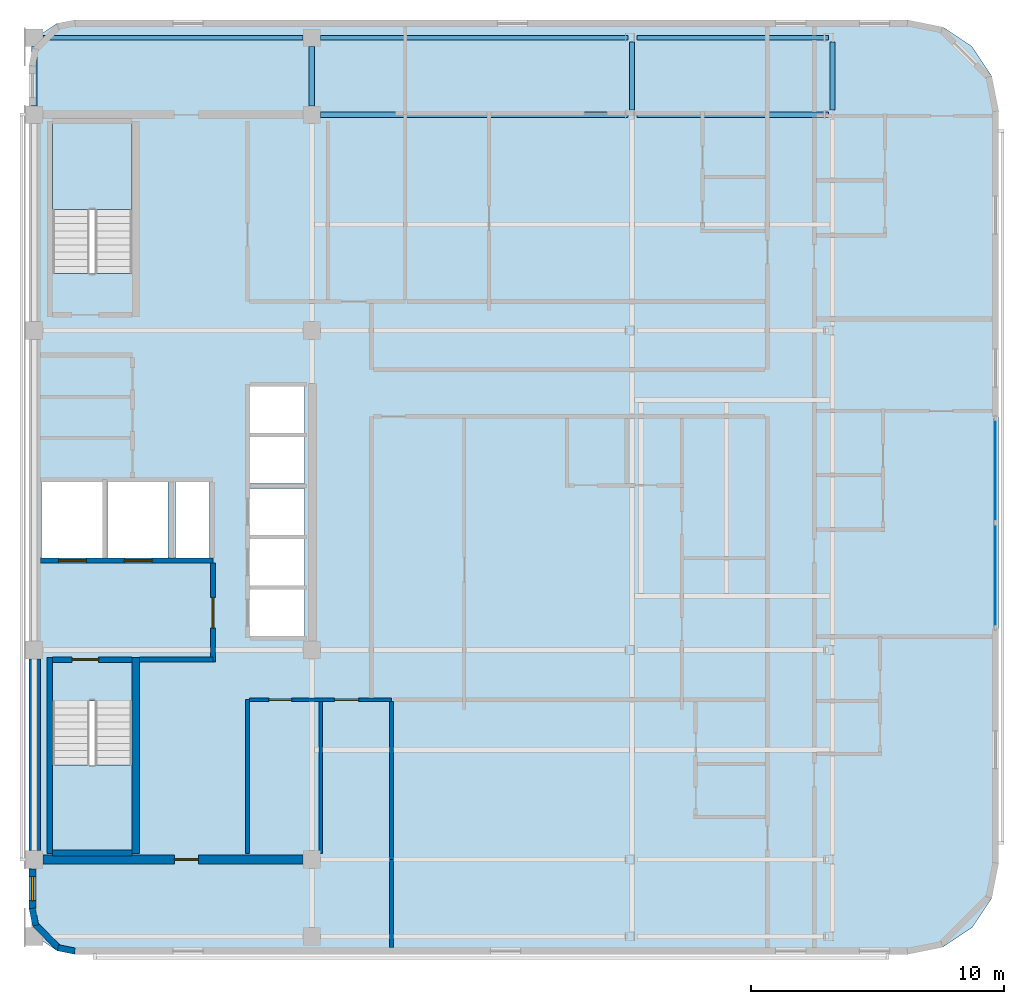
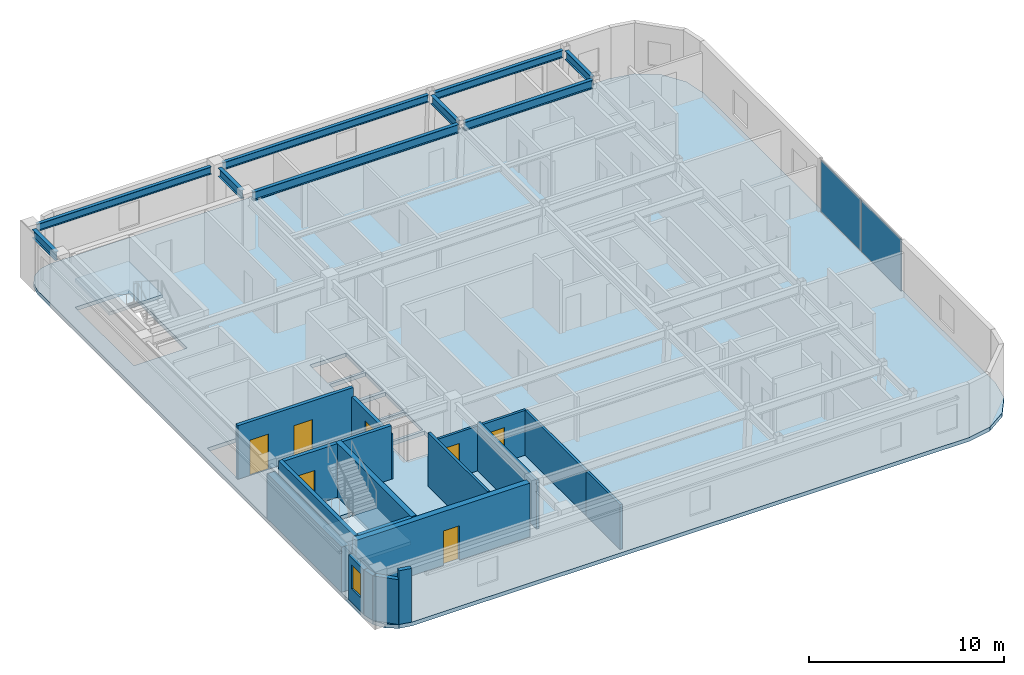
# One storey, part 3 of 10: 18 walls, 9 beams, 7 doors, 3 slabs, 2 plates, 1 window, 8 openings, 3 elements without a shape of their own.
"""IFC4 building model written with IfcOpenShell, lengths in metres."""

from ifc_helpers import new_model, si_unit, direction, frame, frame_2d, origin, origin_2d, place, context, subcontext, project, spatial, polyline, rectangle, i_section, outline, extrude, material, layer, layer_set, material_profile, profile_set, type_object, element, fill, aggregate, save


model = new_model("IFC4")

# Units and contexts
model_context = context("Model", 3, precision=1e-05, world=origin(), true_north=direction((0.0, 1.0)))
body_context = subcontext(model_context, "Body", "Model", "MODEL_VIEW")
ifc_project = project(units=[si_unit("LENGTHUNIT", "METRE"), si_unit("AREAUNIT", "SQUARE_METRE"), si_unit("VOLUMEUNIT", "CUBIC_METRE"), si_unit("PLANEANGLEUNIT", "RADIAN"), si_unit("MASSUNIT", "GRAM", prefix="KILO")], contexts=[model_context])

# Site, building, storey
site_placement = place(None, origin())
site = spatial("IfcSite", under=ifc_project, at=site_placement, CompositionType="ELEMENT")
building_placement = place(site_placement, origin())
building = spatial("IfcBuilding", under=site, at=building_placement, Name="Ochreholt Gables", CompositionType="ELEMENT")
storey_placement = place(building_placement, frame((0.0, 0.0, 223.800048828125)))
storey = spatial("IfcBuildingStorey", under=building, at=storey_placement, Name="L58", CompositionType="ELEMENT", Elevation=223.800048828125)

# Beams
ifc_material_1 = material(Name="Steel CSA G40.21 350W", Category="steel")
ifc_material_profile_1 = material_profile(ifc_material_1, i_section(OverallWidth=0.2109375, OverallDepth=0.5390625, WebThickness=0.01171875, FlangeThickness=0.018798828125, at=origin_2d()), Name="W530X109")
ifc_profile_set_1 = profile_set([ifc_material_profile_1], Name="Steel CSA G40.21 350W")
beam_type_1 = type_object("IfcBeamType", Name="BM-G-W530A", PredefinedType="BEAM", material=ifc_profile_set_1)
beam_1_placement = place(storey_placement, frame((35.549560546875, 38.75, 3.09033203125), z_axis=(1.0, 0.0, 0.0), x_axis=(0.0, 1.0, 0.0)))
element("IfcBeam", 1, at=beam_1_placement, inside=storey, type_object=beam_type_1, Name="L58 Beam TBG-L58-C2EM-Y5", PredefinedType="BEAM", context=body_context, shape_type="SweptSolid", body=[
    extrude(i_section(OverallWidth=0.2109375, OverallDepth=0.5390625, WebThickness=0.01171875, FlangeThickness=0.018798828125, at=origin_2d()), origin(), (0.0, 0.0, 1.0), 12.167724609375),
])
beam_2_placement = place(storey_placement, frame((48.072509765625, 38.75, 3.09033203125), z_axis=(1.0, 0.0, 0.0), x_axis=(0.0, 1.0, 0.0)))
element("IfcBeam", 2, at=beam_2_placement, inside=storey, type_object=beam_type_1, Name="L58 Beam TBG-L58-EMEE-Y5", PredefinedType="BEAM", context=body_context, shape_type="SweptSolid", body=[
    extrude(i_section(OverallWidth=0.2109375, OverallDepth=0.5390625, WebThickness=0.01171875, FlangeThickness=0.018798828125, at=origin_2d()), origin(), (0.0, 0.0, 1.0), 7.595947265625),
])
for number, where, z_axis, x_axis, name in (
    (3, (24.199951171875, 39.099609375, 3.09033203125), (0.0, 1.0, 0.0), (-1.0, 0.0, 0.0), "L58 Beam TBN-L58-C1-Y5Y6"),
    (4, (35.199951171875, 39.099609375, 3.09033203125), (0.0, 1.0, 0.0), (-1.0, 0.0, 0.0), "L58 Beam TBN-L58-C2-Y5Y6"),
):
    element("IfcBeam", number, at=place(storey_placement, frame(where, z_axis=z_axis, x_axis=x_axis)), inside=storey, type_object=beam_type_1, Name=name, PredefinedType="BEAM", context=body_context, shape_type="SweptSolid", body=[
        extrude(i_section(OverallWidth=0.2109375, OverallDepth=0.5390625, WebThickness=0.01171875, FlangeThickness=0.018798828125, at=origin_2d()), origin(), (0.0, 0.0, 1.0), 2.350830078125),
    ])
for number, where, z_axis, x_axis, name in (
    (5, (47.8779296875, 38.927490234375, 3.09033203125), (0.0, 1.0, 0.0), (-1.0, 0.0, 0.0), "L58 Beam TBN-L58-EM-Y5Y6"),
    (6, (55.817626953125, 38.927490234375, 3.09033203125), (0.0, 1.0, 0.0), (-1.0, 0.0, 0.0), "L58 Beam TBN-L58-EE-Y5Y6"),
):
    element("IfcBeam", number, at=place(storey_placement, frame(where, z_axis=z_axis, x_axis=x_axis)), inside=storey, type_object=beam_type_1, Name=name, PredefinedType="BEAM", context=body_context, shape_type="SweptSolid", body=[
        extrude(i_section(OverallWidth=0.2109375, OverallDepth=0.5390625, WebThickness=0.01171875, FlangeThickness=0.018798828125, at=origin_2d()), origin(), (0.0, 0.0, 1.0), 2.69482421875),
    ])
ifc_material_profile_2 = material_profile(ifc_material_1, i_section(OverallWidth=0.19189453125, OverallDepth=0.462890625, WebThickness=0.010498046875, FlangeThickness=0.017578125, at=origin_2d()), Name="W460X89")
ifc_profile_set_2 = profile_set([ifc_material_profile_2], Name="Steel CSA G40.21 350W")
beam_type_2 = type_object("IfcBeamType", Name="BM-SP-W460A", PredefinedType="SPANDREL", material=ifc_profile_set_2)
beam_3_placement = place(storey_placement, frame((24.549560546875, 41.800048828125, 3.12841796875), z_axis=(1.0, 0.0, 0.0), x_axis=(0.0, 1.0, 0.0)))
element("IfcBeam", 7, at=beam_3_placement, inside=storey, type_object=beam_type_2, Name="L58 Beam TBG-L58-C1C2-Y6", PredefinedType="SPANDREL", context=body_context, shape_type="SweptSolid", body=[
    extrude(i_section(OverallWidth=0.19189453125, OverallDepth=0.462890625, WebThickness=0.010498046875, FlangeThickness=0.017578125, at=origin_2d()), origin(), (0.0, 0.0, 1.0), 10.30078125),
])
beam_4_placement = place(storey_placement, frame((35.549560546875, 41.800048828125, 3.12841796875), z_axis=(1.0, 0.0, 0.0), x_axis=(0.0, 1.0, 0.0)))
element("IfcBeam", 8, at=beam_4_placement, inside=storey, type_object=beam_type_2, Name="L58 Beam TBG-L58-C2EM-Y6", PredefinedType="SPANDREL", context=body_context, shape_type="SweptSolid", body=[
    extrude(i_section(OverallWidth=0.19189453125, OverallDepth=0.462890625, WebThickness=0.010498046875, FlangeThickness=0.017578125, at=origin_2d()), origin(), (0.0, 0.0, 1.0), 12.167724609375),
])
beam_5_placement = place(storey_placement, frame((48.072509765625, 41.800048828125, 3.12841796875), z_axis=(1.0, 0.0, 0.0), x_axis=(0.0, 1.0, 0.0)))
element("IfcBeam", 9, at=beam_5_placement, inside=storey, type_object=beam_type_2, Name="L58 Beam TBG-L58-EMEE-Y6", PredefinedType="SPANDREL", context=body_context, shape_type="SweptSolid", body=[
    extrude(i_section(OverallWidth=0.19189453125, OverallDepth=0.462890625, WebThickness=0.010498046875, FlangeThickness=0.017578125, at=origin_2d()), origin(), (0.0, 0.0, 1.0), 7.595947265625),
])

# Curtain wall, plates
ifc_material_2 = material(Name="Unitised Aluminium and Triple Glazing", Category="aluminium")
ifc_layer_1 = layer(ifc_material_2, 0.2099609375, Name="Unitised Aluminium and Triple Glazing")
ifc_layer_set_1 = layer_set([ifc_layer_1], Name="Unitised Aluminium and Triple Glazing")
curtain_wall_type = type_object("IfcCurtainWallType", Name="CW-SYS5", PredefinedType="NOTDEFINED", material=ifc_layer_set_1)
curtain_wall_placement = place(storey_placement, origin())
curtain_wall = element("IfcCurtainWall", 10, at=curtain_wall_placement, inside=storey, type_object=curtain_wall_type, Name="L58 East Unitised Curtain Wall", PredefinedType="NOTDEFINED")
ifc_material_3 = material(Name="Triple Low-E Insulating Glass", Category="glass")
ifc_layer_2 = layer(ifc_material_3, 0.0380859375, Name="Triple Low-E Insulating Glass")
ifc_layer_set_2 = layer_set([ifc_layer_2], Name="Triple Low-E Insulating Glass")
plate_type = type_object("IfcPlateType", Name="CW-PNL-38", PredefinedType="CURTAIN_PANEL", material=ifc_layer_set_2)
plate_1_placement = place(storey_placement, frame((62.264892578125, 20.51123046875, 0.074951171875), z_axis=(0.0, 0.0, 1.0), x_axis=(0.0, 1.0, 0.0)))
plate_1 = element("IfcPlate", 11, at=plate_1_placement, type_object=plate_type, Name="CW-5 panel 1.1", PredefinedType="CURTAIN_PANEL", context=body_context, shape_type="SweptSolid", body=[
    extrude(rectangle(XDim=4.072509765625, YDim=0.0380859375, at=origin_2d()), origin(), (0.0, 0.0, 1.0), 3.2099609375),
])
plate_2_placement = place(storey_placement, frame((62.264892578125, 24.65869140625, 0.074951171875), z_axis=(0.0, 0.0, 1.0), x_axis=(0.0, 1.0, 0.0)))
plate_2 = element("IfcPlate", 12, at=plate_2_placement, type_object=plate_type, Name="CW-5 panel 2.1", PredefinedType="CURTAIN_PANEL", context=body_context, shape_type="SweptSolid", body=[
    extrude(rectangle(XDim=4.072509765625, YDim=0.0380859375, at=origin_2d()), origin(), (0.0, 0.0, 1.0), 3.2099609375),
])
aggregate(curtain_wall, [plate_1, plate_2])

# Stair, slab
ifc_material_4 = material(Name="Concrete 40 MPa", Category="concrete")
stair_type_1 = type_object("IfcStairType", Name="STAIR-CORE-ST-1", PredefinedType="HALF_TURN_STAIR", material=ifc_material_4)
stair_1_placement = place(storey_placement, origin())
stair_1 = element("IfcStair", 13, at=stair_1_placement, inside=storey, type_object=stair_type_1, Name="L58 Core Exit Stair 1", PredefinedType="HALF_TURN_STAIR")
ifc_layer_3 = layer(ifc_material_4, 0.199951171875, Name="Concrete 40 MPa")
ifc_layer_set_3 = layer_set([ifc_layer_3], Name="Concrete 40 MPa")
slab_type_1 = type_object("IfcSlabType", Name="LANDING-RC200", PredefinedType="LANDING", material=ifc_layer_set_3)
slab_1_placement = place(storey_placement, frame((0.0, 0.0, 1.599853515625)))
slab_1 = element("IfcSlab", 14, at=slab_1_placement, type_object=slab_type_1, Name="ST-1 landing 1", PredefinedType="LANDING", context=body_context, shape_type="SweptSolid", body=[
    extrude(outline(polyline([(24.919921875, 13.001953125), (24.919921875, 9.52001953125), (28.080078125, 9.52001953125), (28.080078125, 13.001953125), (24.919921875, 13.001953125)])), origin(), (0.0, 0.0, 1.0), 0.2001953125),
])
aggregate(stair_1, [slab_1])

stair_type_2 = type_object("IfcStairType", Name="STAIR-CORE-ST-2", PredefinedType="HALF_TURN_STAIR", material=ifc_material_4)
stair_2_placement = place(storey_placement, origin())
stair_2 = element("IfcStair", 15, at=stair_2_placement, inside=storey, type_object=stair_type_2, Name="L58 Core Exit Stair 2", PredefinedType="HALF_TURN_STAIR")
slab_2_placement = place(storey_placement, frame((0.0, 0.0, 1.599853515625)))
slab_2 = element("IfcSlab", 16, at=slab_2_placement, type_object=slab_type_1, Name="ST-2 landing 1", PredefinedType="LANDING", context=body_context, shape_type="SweptSolid", body=[
    extrude(outline(polyline([(28.080078125, 34.998046875), (28.080078125, 38.47998046875), (24.919921875, 38.47998046875), (24.919921875, 34.998046875), (28.080078125, 34.998046875)])), origin(), (0.0, 0.0, 1.0), 0.2001953125),
])
aggregate(stair_2, [slab_2])

# Slab
ifc_layer_4 = layer(ifc_material_4, 0.239990234375, Name="Concrete 40 MPa")
ifc_layer_set_4 = layer_set([ifc_layer_4], Name="Concrete 40 MPa")
slab_type_2 = type_object("IfcSlabType", Name="SLAB-TWR-240", PredefinedType="FLOOR", material=ifc_layer_set_4)
slab_3_placement = place(storey_placement, frame((0.0, 0.0, -0.239990234375)))
element("IfcSlab", 17, at=slab_3_placement, inside=storey, type_object=slab_type_2, Name="L58 Structural Floor Slab", PredefinedType="FLOOR", context=body_context, shape_type="SweptSolid", body=[
    extrude(outline(polyline([(24.0, 7.300048828125), (24.136962890625, 6.611083984375), (24.527099609375, 6.027099609375), (25.111083984375, 5.636962890625), (25.800048828125, 5.5), (58.800048828125, 5.5), (60.177734375, 5.77392578125), (61.345703125, 6.554443359375), (62.1259765625, 7.722412109375), (62.39990234375, 9.10009765625), (62.39990234375, 38.89990234375), (62.1259765625, 40.277587890625), (61.345703125, 41.445556640625), (60.177734375, 42.22607421875), (58.800048828125, 42.5), (25.800048828125, 42.5), (25.111083984375, 42.363037109375), (24.527099609375, 41.972900390625), (24.136962890625, 41.388916015625), (24.0, 40.699951171875), (24.0, 7.300048828125)]), holes=[polyline([(24.919921875, 15.539306640625), (24.919921875, 9.52001953125), (28.080078125, 9.52001953125), (28.080078125, 15.539306640625), (24.919921875, 15.539306640625)]), polyline([(28.080078125, 32.460693359375), (28.080078125, 38.47998046875), (24.919921875, 38.47998046875), (24.919921875, 32.460693359375), (28.080078125, 32.460693359375)]), polyline([(24.5, 21.199951171875), (26.89990234375, 21.199951171875), (26.89990234375, 24.199951171875), (24.5, 24.199951171875), (24.5, 21.199951171875)]), polyline([(27.10009765625, 21.199951171875), (29.5, 21.199951171875), (29.5, 24.199951171875), (27.10009765625, 24.199951171875), (27.10009765625, 21.199951171875)]), polyline([(32.75, 18.10009765625), (34.89990234375, 18.10009765625), (34.89990234375, 19.949951171875), (32.75, 19.949951171875), (32.75, 18.10009765625)]), polyline([(32.75, 20.10009765625), (34.89990234375, 20.10009765625), (34.89990234375, 21.949951171875), (32.75, 21.949951171875), (32.75, 20.10009765625)]), polyline([(32.75, 22.10009765625), (34.89990234375, 22.10009765625), (34.89990234375, 23.949951171875), (32.75, 23.949951171875), (32.75, 22.10009765625)]), polyline([(32.75, 24.14990234375), (34.89990234375, 24.14990234375), (34.89990234375, 26.0), (32.75, 26.0), (32.75, 24.14990234375)]), polyline([(32.75, 26.14990234375), (34.89990234375, 26.14990234375), (34.89990234375, 28.0), (32.75, 28.0), (32.75, 26.14990234375)]), polyline([(29.800048828125, 21.199951171875), (31.14990234375, 21.199951171875), (31.14990234375, 24.199951171875), (29.800048828125, 24.199951171875), (29.800048828125, 21.199951171875)])]), origin(), (0.0, 0.0, 1.0), 0.239990234375),
])

# Wall, opening, door
ifc_material_5 = material(Name="Concrete 50 MPa", Category="concrete")
ifc_layer_5 = layer(ifc_material_5, 0.35009765625, Name="Concrete 50 MPa")
ifc_layer_set_5 = layer_set([ifc_layer_5], Name="Concrete 50 MPa")
wall_type_1 = type_object("IfcWallType", Name="WALL-CSW-350", PredefinedType="SHEAR", material=ifc_layer_set_5)
wall_1_placement = place(storey_placement, frame((24.550048828125, 9.25, 0.0), z_axis=(0.0, 0.0, 1.0), x_axis=(1.0, 0.0, 0.0)))
wall_1 = element("IfcWall", 18, at=wall_1_placement, inside=storey, type_object=wall_type_1, Name="L58 Core South Shear Wall", PredefinedType="SHEAR", context=body_context, shape_type="SweptSolid", body=[
    extrude(rectangle(XDim=10.300048828125, YDim=0.35009765625, at=frame_2d((5.14990234375, 0.0))), origin(), (0.0, 0.0, 1.0), 3.35986328125),
])
opening_1_placement = place(wall_1_placement, frame((5.199951171875, 0.0, 0.0)))
opening_1 = element("IfcOpeningElement", 19, at=opening_1_placement, cuts=wall_1, Name="Opening D-FL2", PredefinedType="OPENING", context=body_context, shape_type="SweptSolid", body=[
    extrude(rectangle(XDim=0.949951171875, YDim=2.14990234375, at=frame_2d((0.47509765625, 1.074951171875))), frame((0.0, 0.18505859375, 0.0), z_axis=(0.0, -1.0, 0.0), x_axis=(1.0, 0.0, 0.0)), (0.0, 0.0, 1.0), 0.3701171875),
])
ifc_material_6 = material(Name="Hollow Metal Steel", Category="steel")
door_type_1 = type_object("IfcDoorType", Name="DR-INT-FLB950", OperationType="NOTDEFINED", PredefinedType="DOOR", material=ifc_material_6)
door_1_placement = place(opening_1_placement, frame((0.949951171875, 0.0, 0.0), z_axis=(0.0, 0.0, 1.0), x_axis=(-1.0, 0.0, 0.0)))
door_1 = element("IfcDoor", 20, at=door_1_placement, inside=storey, type_object=door_type_1, Name="L58 Door D-C3SSL-L58", OperationType="SINGLE_SWING_LEFT", OverallHeight=2.14990234375, OverallWidth=0.949951171875, PredefinedType="DOOR", context=body_context, shape_type="SweptSolid", body=[
    extrude(rectangle(XDim=0.949951171875, YDim=2.14990234375, at=frame_2d((0.47509765625, 1.074951171875))), frame((0.0, 0.02490234375, 0.0), z_axis=(0.0, -1.0, 0.0), x_axis=(1.0, 0.0, 0.0)), (0.0, 0.0, 1.0), 0.050048828125),
])
fill(opening_1, door_1)

# Wall
ifc_layer_6 = layer(ifc_material_5, 0.449951171875, Name="Concrete 50 MPa")
ifc_layer_set_6 = layer_set([ifc_layer_6], Name="Concrete 50 MPa")
wall_type_2 = type_object("IfcWallType", Name="WALL-CSW-EXT", PredefinedType="SHEAR", material=ifc_layer_set_6)
wall_2_placement = place(storey_placement, frame((24.22509765625, 9.60009765625, 0.0), z_axis=(0.0, 0.0, 1.0), x_axis=(0.0, 1.0, 0.0)))
element("IfcWall", 21, at=wall_2_placement, inside=storey, type_object=wall_type_2, Name="L58 Core West Shear Wall WS", PredefinedType="SHEAR", context=body_context, shape_type="SweptSolid", body=[
    extrude(rectangle(XDim=7.599853515625, YDim=0.449951171875, at=frame_2d((3.7998046875, 0.0))), origin(), (0.0, 0.0, 1.0), 2.821044921875),
])

# Wall, opening, window
ifc_material_7 = material(Name="Precast concrete 40 MPa", Category="concrete")
ifc_layer_7 = layer(ifc_material_7, 0.27001953125, Name="Precast concrete 40 MPa")
ifc_layer_set_7 = layer_set([ifc_layer_7], Name="Precast concrete 40 MPa")
wall_type_3 = type_object("IfcWallType", Name="WALL-EXT-270", PredefinedType="SOLIDWALL", material=ifc_layer_set_7)
wall_3_placement = place(storey_placement, frame((24.135009765625, 7.320068359375, 0.0), z_axis=(0.0, 0.0, 1.0), x_axis=(0.0, 1.0, 0.0)))
wall_3 = element("IfcWall", 22, at=wall_3_placement, inside=storey, type_object=wall_type_3, Name="L58 West Facade South Bay Wall", PredefinedType="SOLIDWALL", context=body_context, shape_type="SweptSolid", body=[
    extrude(rectangle(XDim=1.559814453125, YDim=0.27001953125, at=frame_2d((0.77978515625, 0.0))), origin(), (0.0, 0.0, 1.0), 2.802978515625),
])
opening_2_placement = place(wall_3_placement, frame((0.304931640625, 0.0, 0.85009765625)))
opening_2 = element("IfcOpeningElement", 23, at=opening_2_placement, cuts=wall_3, Name="Opening WN-10", PredefinedType="OPENING", context=body_context, shape_type="SweptSolid", body=[
    extrude(rectangle(XDim=0.949951171875, YDim=1.5, at=frame_2d((0.47509765625, 0.75))), frame((0.0, 0.14501953125, 0.0), z_axis=(0.0, -1.0, 0.0), x_axis=(1.0, 0.0, 0.0)), (0.0, 0.0, 1.0), 0.2900390625),
])
ifc_material_8 = material(Name="Triple-Glazed Thermally Broken Aluminium Window", Category="aluminium")
window_type = type_object("IfcWindowType", Name="WIN-RES-950", PartitioningType="SINGLE_PANEL", PredefinedType="WINDOW", material=ifc_material_8)
window_placement = place(opening_2_placement, origin())
window = element("IfcWindow", 24, at=window_placement, inside=storey, type_object=window_type, Name="L58 South Sky Lounge West Window", OverallHeight=1.5, OverallWidth=0.949951171875, PartitioningType="SINGLE_PANEL", PredefinedType="WINDOW", context=body_context, shape_type="SweptSolid", body=[
    extrude(rectangle(XDim=0.949951171875, YDim=1.5, at=frame_2d((0.47509765625, 0.75))), frame((0.0, 0.030029296875, 0.0), z_axis=(0.0, -1.0, 0.0), x_axis=(1.0, 0.0, 0.0)), (0.0, 0.0, 1.0), 0.06005859375),
])
fill(opening_2, window)

# Walls
ifc_layer_8 = layer(ifc_material_7, 0.25, Name="Precast concrete 40 MPa")
ifc_layer_set_8 = layer_set([ifc_layer_8], Name="Precast concrete 40 MPa")
wall_type_4 = type_object("IfcWallType", Name="WALL-EXT-CNR", PredefinedType="SOLIDWALL", material=ifc_layer_set_8)
wall_4_placement = place(storey_placement, frame((24.124267578125, 7.31640625, 0.0), z_axis=(0.0, 0.0, 1.0), x_axis=(0.194952956674, -0.980812594069, 0.0)))
element("IfcWall", 25, at=wall_4_placement, inside=storey, type_object=wall_type_4, Name="L58 Rounded Corner Wall SW-1", PredefinedType="SOLIDWALL", context=body_context, shape_type="SweptSolid", body=[
    extrude(rectangle(XDim=0.686279296875, YDim=0.25, at=frame_2d((0.34326171875, 0.0))), origin(), (0.0, 0.0, 1.0), 2.802978515625),
])
wall_5_placement = place(storey_placement, frame((24.23095703125, 6.69384765625, 0.0), z_axis=(0.0, 0.0, 1.0), x_axis=(0.707106781187, -0.707106781187, 0.0)))
element("IfcWall", 26, at=wall_5_placement, inside=storey, type_object=wall_type_4, Name="L58 Rounded Corner Wall SW-2", PredefinedType="SOLIDWALL", context=body_context, shape_type="SweptSolid", body=[
    extrude(rectangle(XDim=1.36181640625, YDim=0.25, at=frame_2d((0.680908203125, 0.0))), origin(), (0.0, 0.0, 1.0), 2.802978515625),
])
wall_6_placement = place(storey_placement, frame((25.143310546875, 5.758056640625, 0.0), z_axis=(0.0, 0.0, 1.0), x_axis=(0.980812594069, -0.194952956674, 0.0)))
element("IfcWall", 27, at=wall_6_placement, inside=storey, type_object=wall_type_4, Name="L58 Rounded Corner Wall SW-3", PredefinedType="SOLIDWALL", context=body_context, shape_type="SweptSolid", body=[
    extrude(rectangle(XDim=0.686279296875, YDim=0.25, at=frame_2d((0.34326171875, 0.0))), origin(), (0.0, 0.0, 1.0), 3.35986328125),
])

# Wall, openings, doors
ifc_layer_9 = layer(ifc_material_4, 0.199951171875, Name="Concrete 40 MPa")
ifc_layer_set_9 = layer_set([ifc_layer_9], Name="Concrete 40 MPa")
wall_type_5 = type_object("IfcWallType", Name="WALL-INT-CF200", PredefinedType="STANDARD", material=ifc_layer_set_9)
wall_7_placement = place(storey_placement, frame((24.449951171875, 21.090087890625, 0.0), z_axis=(0.0, 0.0, 1.0), x_axis=(1.0, 0.0, 0.0)))
wall_7 = element("IfcWall", 28, at=wall_7_placement, inside=storey, type_object=wall_type_5, Name="L58 Interior Wall WI-FFN-L58", PredefinedType="STANDARD", context=body_context, shape_type="SweptSolid", body=[
    extrude(rectangle(XDim=6.830078125, YDim=0.199951171875, at=frame_2d((3.4150390625, 0.0))), origin(), (0.0, 0.0, 1.0), 3.35986328125),
])
opening_3_placement = place(wall_7_placement, frame((0.719970703125, 0.0, 0.0)))
opening_3 = element("IfcOpeningElement", 29, at=opening_3_placement, cuts=wall_7, Name="Opening LD-FF", PredefinedType="OPENING", context=body_context, shape_type="SweptSolid", body=[
    extrude(rectangle(XDim=1.10009765625, YDim=2.199951171875, at=frame_2d((0.550048828125, 1.10009765625))), frame((0.0, 0.10986328125, 0.0), z_axis=(0.0, -1.0, 0.0), x_axis=(1.0, 0.0, 0.0)), (0.0, 0.0, 1.0), 0.219970703125),
])
opening_4_placement = place(wall_7_placement, frame((3.320068359375, 0.0, 0.0)))
opening_4 = element("IfcOpeningElement", 30, at=opening_4_placement, cuts=wall_7, Name="Opening LD-FF", PredefinedType="OPENING", context=body_context, shape_type="SweptSolid", body=[
    extrude(rectangle(XDim=1.10009765625, YDim=2.199951171875, at=frame_2d((0.550048828125, 1.10009765625))), frame((0.0, 0.10986328125, 0.0), z_axis=(0.0, -1.0, 0.0), x_axis=(1.0, 0.0, 0.0)), (0.0, 0.0, 1.0), 0.219970703125),
])
ifc_material_9 = material(Name="Stainless Steel", Category="steel")
door_type_2 = type_object("IfcDoorType", Name="DR-LFT-FF1100", OperationType="NOTDEFINED", PredefinedType="DOOR", material=ifc_material_9)
door_2_placement = place(opening_3_placement, origin())
door_2 = element("IfcDoor", 31, at=door_2_placement, inside=storey, type_object=door_type_2, Name="L58 Door LD-FF1-L58", OperationType="SLIDING_TO_LEFT", OverallHeight=2.199951171875, OverallWidth=1.10009765625, PredefinedType="DOOR", context=body_context, shape_type="SweptSolid", body=[
    extrude(rectangle(XDim=1.10009765625, YDim=2.199951171875, at=frame_2d((0.550048828125, 1.10009765625))), frame((0.0, 0.02490234375, 0.0), z_axis=(0.0, -1.0, 0.0), x_axis=(1.0, 0.0, 0.0)), (0.0, 0.0, 1.0), 0.050048828125),
])
fill(opening_3, door_2)
door_3_placement = place(opening_4_placement, origin())
door_3 = element("IfcDoor", 32, at=door_3_placement, inside=storey, type_object=door_type_2, Name="L58 Door LD-FF2-L58", OperationType="SLIDING_TO_LEFT", OverallHeight=2.199951171875, OverallWidth=1.10009765625, PredefinedType="DOOR", context=body_context, shape_type="SweptSolid", body=[
    extrude(rectangle(XDim=1.10009765625, YDim=2.199951171875, at=frame_2d((0.550048828125, 1.10009765625))), frame((0.0, 0.02490234375, 0.0), z_axis=(0.0, -1.0, 0.0), x_axis=(1.0, 0.0, 0.0)), (0.0, 0.0, 1.0), 0.050048828125),
])
fill(opening_4, door_3)

# Wall
wall_8_placement = place(storey_placement, frame((28.3798828125, 17.169921875, 0.0), z_axis=(0.0, 0.0, 1.0), x_axis=(1.0, 0.0, 0.0)))
element("IfcWall", 33, at=wall_8_placement, inside=storey, type_object=wall_type_5, Name="L58 Interior Wall WI-FFS-L58", PredefinedType="STANDARD", context=body_context, shape_type="SweptSolid", body=[
    extrude(rectangle(XDim=2.900146484375, YDim=0.199951171875, at=frame_2d((1.4501953125, 0.0))), origin(), (0.0, 0.0, 1.0), 3.35986328125),
])

# Wall, opening, door
wall_9_placement = place(storey_placement, frame((31.280029296875, 17.070068359375, 0.0), z_axis=(0.0, 0.0, 1.0), x_axis=(0.0, 1.0, 0.0)))
wall_9 = element("IfcWall", 34, at=wall_9_placement, inside=storey, type_object=wall_type_5, Name="L58 Interior Wall WI-FFE-L58", PredefinedType="STANDARD", context=body_context, shape_type="SweptSolid", body=[
    extrude(rectangle(XDim=3.919921875, YDim=0.199951171875, at=frame_2d((1.9599609375, 0.0))), origin(), (0.0, 0.0, 1.0), 2.802978515625),
])
opening_5_placement = place(wall_9_placement, frame((1.35009765625, 0.0, 0.0)))
opening_5 = element("IfcOpeningElement", 35, at=opening_5_placement, cuts=wall_9, Name="Opening D-FFL", PredefinedType="OPENING", context=body_context, shape_type="SweptSolid", body=[
    extrude(rectangle(XDim=1.199951171875, YDim=2.14990234375, at=frame_2d((0.60009765625, 1.074951171875))), frame((0.0, 0.10986328125, 0.0), z_axis=(0.0, -1.0, 0.0), x_axis=(1.0, 0.0, 0.0)), (0.0, 0.0, 1.0), 0.219970703125),
])
door_type_3 = type_object("IfcDoorType", Name="DR-INT-FFL1200", OperationType="NOTDEFINED", PredefinedType="DOOR", material=ifc_material_6)
door_4_placement = place(opening_5_placement, origin())
door_4 = element("IfcDoor", 36, at=door_4_placement, inside=storey, type_object=door_type_3, Name="L58 Door D-FFL-L58", OperationType="SINGLE_SWING_LEFT", OverallHeight=2.14990234375, OverallWidth=1.199951171875, PredefinedType="DOOR", context=body_context, shape_type="SweptSolid", body=[
    extrude(rectangle(XDim=1.199951171875, YDim=2.14990234375, at=frame_2d((0.60009765625, 1.074951171875))), frame((0.0, 0.02490234375, 0.0), z_axis=(0.0, -1.0, 0.0), x_axis=(1.0, 0.0, 0.0)), (0.0, 0.0, 1.0), 0.050048828125),
])
fill(opening_5, door_4)

# Wall
ifc_material_10 = material(Name="Lightweight Stud Partition", Category="gypsum")
ifc_layer_10 = layer(ifc_material_10, 0.14501953125, Name="Lightweight Stud Partition")
ifc_layer_set_10 = layer_set([ifc_layer_10], Name="Lightweight Stud Partition")
wall_type_6 = type_object("IfcWallType", Name="WALL-INT-PT145", PredefinedType="PARTITIONING", material=ifc_layer_set_10)
wall_10_placement = place(storey_placement, frame((32.64990234375, 9.5, 0.0), z_axis=(0.0, 0.0, 1.0), x_axis=(0.0, 1.0, 0.0)))
element("IfcWall", 37, at=wall_10_placement, inside=storey, type_object=wall_type_6, Name="L58 Interior Wall WI-RCL-W-L58", PredefinedType="PARTITIONING", context=body_context, shape_type="SweptSolid", body=[
    extrude(rectangle(XDim=6.080078125, YDim=0.14501953125, at=frame_2d((3.0400390625, 0.0))), origin(), (0.0, 0.0, 1.0), 3.35986328125),
])

# Wall, openings, doors
wall_11_placement = place(storey_placement, frame((32.722412109375, 15.580078125, 0.0), z_axis=(0.0, 0.0, 1.0), x_axis=(1.0, 0.0, 0.0)))
wall_11 = element("IfcWall", 38, at=wall_11_placement, inside=storey, type_object=wall_type_6, Name="L58 Interior Wall WI-RCL-N-L58", PredefinedType="PARTITIONING", context=body_context, shape_type="SweptSolid", body=[
    extrude(rectangle(XDim=5.627685546875, YDim=0.14501953125, at=frame_2d((2.81396484375, 0.0))), origin(), (0.0, 0.0, 1.0), 2.802978515625),
])
opening_6_placement = place(wall_11_placement, frame((0.777587890625, 0.0, 0.0)))
opening_6 = element("IfcOpeningElement", 39, at=opening_6_placement, cuts=wall_11, Name="Opening D-SV1", PredefinedType="OPENING", context=body_context, shape_type="SweptSolid", body=[
    extrude(rectangle(XDim=0.89990234375, YDim=2.10009765625, at=frame_2d((0.449951171875, 1.050048828125))), frame((0.0, 0.08251953125, 0.0), z_axis=(0.0, -1.0, 0.0), x_axis=(1.0, 0.0, 0.0)), (0.0, 0.0, 1.0), 0.1650390625),
])
opening_7_placement = place(wall_11_placement, frame((3.37744140625, 0.0, 0.0)))
opening_7 = element("IfcOpeningElement", 40, at=opening_7_placement, cuts=wall_11, Name="Opening D-GN1", PredefinedType="OPENING", context=body_context, shape_type="SweptSolid", body=[
    extrude(rectangle(XDim=0.949951171875, YDim=2.14990234375, at=frame_2d((0.47509765625, 1.074951171875))), frame((0.0, 0.08251953125, 0.0), z_axis=(0.0, -1.0, 0.0), x_axis=(1.0, 0.0, 0.0)), (0.0, 0.0, 1.0), 0.1650390625),
])
ifc_material_11 = material(Name="Engineered Oak Timber", Category="wood")
door_type_4 = type_object("IfcDoorType", Name="DR-INT-GEN950", OperationType="NOTDEFINED", PredefinedType="DOOR", material=ifc_material_11)
door_5_placement = place(opening_7_placement, origin())
door_5 = element("IfcDoor", 41, at=door_5_placement, inside=storey, type_object=door_type_4, Name="L58 Door D-RCL2-L58", OperationType="SINGLE_SWING_RIGHT", OverallHeight=2.14990234375, OverallWidth=0.949951171875, PredefinedType="DOOR", context=body_context, shape_type="SweptSolid", body=[
    extrude(rectangle(XDim=0.949951171875, YDim=2.14990234375, at=frame_2d((0.47509765625, 1.074951171875))), frame((0.0, 0.02490234375, 0.0), z_axis=(0.0, -1.0, 0.0), x_axis=(1.0, 0.0, 0.0)), (0.0, 0.0, 1.0), 0.050048828125),
])
fill(opening_7, door_5)
door_type_5 = type_object("IfcDoorType", Name="DR-INT-SRV900", OperationType="NOTDEFINED", PredefinedType="DOOR", material=ifc_material_6)
door_6_placement = place(opening_6_placement, origin())
door_6 = element("IfcDoor", 42, at=door_6_placement, inside=storey, type_object=door_type_5, Name="L58 Door D-RCL1-L58", OperationType="SINGLE_SWING_LEFT", OverallHeight=2.10009765625, OverallWidth=0.89990234375, PredefinedType="DOOR", context=body_context, shape_type="SweptSolid", body=[
    extrude(rectangle(XDim=0.89990234375, YDim=2.10009765625, at=frame_2d((0.449951171875, 1.050048828125))), frame((0.0, 0.02490234375, 0.0), z_axis=(0.0, -1.0, 0.0), x_axis=(1.0, 0.0, 0.0)), (0.0, 0.0, 1.0), 0.050048828125),
])
fill(opening_6, door_6)

# Walls
wall_12_placement = place(storey_placement, frame((38.35009765625, 9.25, 0.0), z_axis=(0.0, 0.0, 1.0), x_axis=(0.0, 1.0, 0.0)))
element("IfcWall", 43, at=wall_12_placement, inside=storey, type_object=wall_type_6, Name="L58 Interior Wall WI-RCL-E-L58", PredefinedType="PARTITIONING", context=body_context, shape_type="SweptSolid", body=[
    extrude(rectangle(XDim=6.257568359375, YDim=0.14501953125, at=frame_2d((3.12890625, 0.0))), origin(), (0.0, 0.0, 1.0), 2.802978515625),
])
wall_13_placement = place(storey_placement, frame((35.550048828125, 9.5, 0.0), z_axis=(0.0, 0.0, 1.0), x_axis=(0.0, 1.0, 0.0)))
element("IfcWall", 44, at=wall_13_placement, inside=storey, type_object=wall_type_6, Name="L58 Interior Wall WI-RCL-DV-L58", PredefinedType="PARTITIONING", context=body_context, shape_type="SweptSolid", body=[
    extrude(rectangle(XDim=6.007568359375, YDim=0.14501953125, at=frame_2d((3.00390625, 0.0))), origin(), (0.0, 0.0, 1.0), 3.0390625),
])
wall_14_placement = place(storey_placement, frame((38.35009765625, 5.77001953125, 0.0), z_axis=(0.0, 0.0, 1.0), x_axis=(0.0, 1.0, 0.0)))
element("IfcWall", 45, at=wall_14_placement, inside=storey, type_object=wall_type_6, Name="L58 Interior Wall WI-C3SMW-L58", PredefinedType="PARTITIONING", context=body_context, shape_type="SweptSolid", body=[
    extrude(rectangle(XDim=3.47998046875, YDim=0.14501953125, at=frame_2d((1.739990234375, 0.0))), origin(), (0.0, 0.0, 1.0), 2.802978515625),
])
ifc_material_12 = material(Name="Concrete 60 MPa", Category="concrete")
ifc_layer_11 = layer(ifc_material_12, 0.300048828125, Name="Concrete 60 MPa")
ifc_layer_set_11 = layer_set([ifc_layer_11], Name="Concrete 60 MPa")
wall_type_7 = type_object("IfcWallType", Name="WALL-SPN-300", PredefinedType="SHEAR", material=ifc_layer_set_11)
wall_15_placement = place(storey_placement, frame((28.22998046875, 9.5, 0.0), z_axis=(0.0, 0.0, 1.0), x_axis=(0.0, 1.0, 0.0)))
element("IfcWall", 46, at=wall_15_placement, inside=storey, type_object=wall_type_7, Name="L58 Core South Spine Shear Wall", PredefinedType="SHEAR", context=body_context, shape_type="SweptSolid", body=[
    extrude(rectangle(XDim=7.760009765625, YDim=0.300048828125, at=frame_2d((3.8798828125, 0.0))), origin(), (0.0, 0.0, 1.0), 3.35986328125),
])
ifc_layer_12 = layer(ifc_material_5, 0.219970703125, Name="Concrete 50 MPa")
ifc_layer_set_12 = layer_set([ifc_layer_12], Name="Concrete 50 MPa")
wall_type_8 = type_object("IfcWallType", Name="WALL-STW-220", PredefinedType="SHEAR", material=ifc_layer_set_12)
wall_16_placement = place(storey_placement, frame((24.81005859375, 9.5, 0.0), z_axis=(0.0, 0.0, 1.0), x_axis=(0.0, 1.0, 0.0)))
element("IfcWall", 47, at=wall_16_placement, inside=storey, type_object=wall_type_8, Name="L58 Exit Stair 1 West Wall", PredefinedType="SHEAR", context=body_context, shape_type="SweptSolid", body=[
    extrude(rectangle(XDim=7.760009765625, YDim=0.219970703125, at=frame_2d((3.8798828125, 0.0))), origin(), (0.0, 0.0, 1.0), 3.35986328125),
])
wall_17_placement = place(storey_placement, frame((24.919921875, 9.510009765625, 0.0), z_axis=(0.0, 0.0, 1.0), x_axis=(1.0, 0.0, 0.0)))
element("IfcWall", 48, at=wall_17_placement, inside=storey, type_object=wall_type_8, Name="L58 Exit Stair 1 South Wall", PredefinedType="SHEAR", context=body_context, shape_type="SweptSolid", body=[
    extrude(rectangle(XDim=3.16015625, YDim=0.219970703125, at=frame_2d((1.580078125, 0.0))), origin(), (0.0, 0.0, 1.0), 3.35986328125),
])

# Wall, opening, door
wall_18_placement = place(storey_placement, frame((24.919921875, 17.169921875, 0.0), z_axis=(0.0, 0.0, 1.0), x_axis=(1.0, 0.0, 0.0)))
wall_18 = element("IfcWall", 49, at=wall_18_placement, inside=storey, type_object=wall_type_8, Name="L58 Exit Stair 1 North Wall", PredefinedType="SHEAR", context=body_context, shape_type="SweptSolid", body=[
    extrude(rectangle(XDim=3.16015625, YDim=0.219970703125, at=frame_2d((1.580078125, 0.0))), origin(), (0.0, 0.0, 1.0), 3.35986328125),
])
opening_8_placement = place(wall_18_placement, frame((0.780029296875, 0.0, 0.0)))
opening_8 = element("IfcOpeningElement", 50, at=opening_8_placement, cuts=wall_18, Name="Opening D-STC", PredefinedType="OPENING", context=body_context, shape_type="SweptSolid", body=[
    extrude(rectangle(XDim=1.050048828125, YDim=2.14990234375, at=frame_2d((0.52490234375, 1.074951171875))), frame((0.0, 0.119873046875, 0.0), z_axis=(0.0, -1.0, 0.0), x_axis=(1.0, 0.0, 0.0)), (0.0, 0.0, 1.0), 0.239990234375),
])
door_type_6 = type_object("IfcDoorType", Name="DR-INT-ST1050", OperationType="NOTDEFINED", PredefinedType="DOOR", material=ifc_material_6)
door_7_placement = place(opening_8_placement, frame((1.050048828125, 0.0, 0.0), z_axis=(0.0, 0.0, 1.0), x_axis=(-1.0, 0.0, 0.0)))
door_7 = element("IfcDoor", 51, at=door_7_placement, inside=storey, type_object=door_type_6, Name="L58 Door D-ST1-L58", OperationType="SINGLE_SWING_LEFT", OverallHeight=2.14990234375, OverallWidth=1.050048828125, PredefinedType="DOOR", context=body_context, shape_type="SweptSolid", body=[
    extrude(rectangle(XDim=1.050048828125, YDim=2.14990234375, at=frame_2d((0.52490234375, 1.074951171875))), frame((0.0, 0.02490234375, 0.0), z_axis=(0.0, -1.0, 0.0), x_axis=(1.0, 0.0, 0.0)), (0.0, 0.0, 1.0), 0.050048828125),
])
fill(opening_8, door_7)

save(model, "model.ifc")
